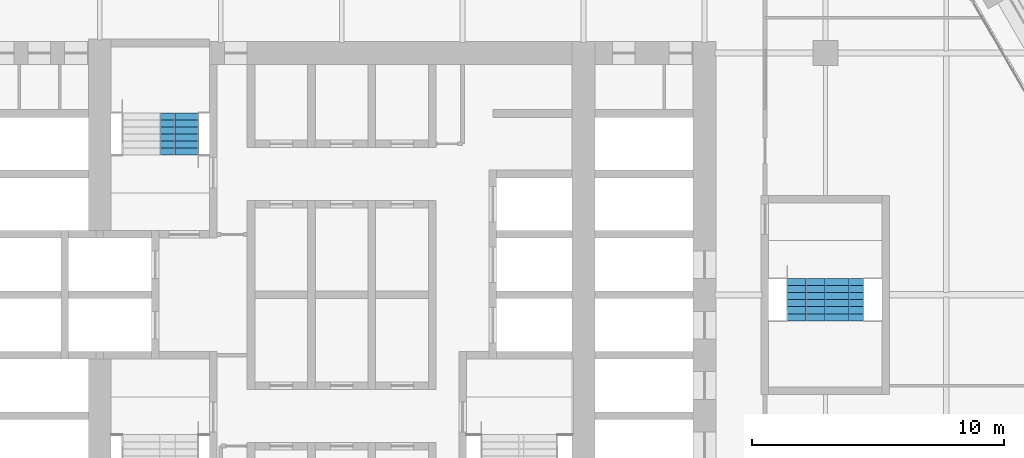
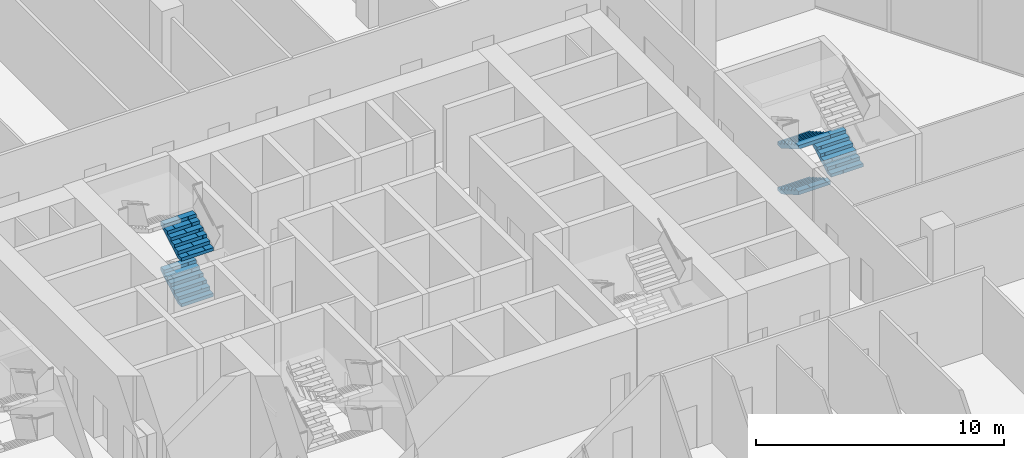
# One storey, part 23 of 27: 5 stair flights, 2 elements without a shape of their own.
"""IFC4 building model written with IfcOpenShell, lengths in metres."""

from ifc_helpers import new_model, si_unit, direction, frame, origin, place, context, subcontext, project, spatial, polyline, outline, extrude, material, type_object, element, aggregate, save


model = new_model("IFC4")

# Units and contexts
model_context = context("Model", 3, precision=1e-05, world=origin(), true_north=direction((0.0, 1.0)))
body_context = subcontext(model_context, "Body", "Model", "MODEL_VIEW")
ifc_project = project(units=[si_unit("LENGTHUNIT", "METRE"), si_unit("AREAUNIT", "SQUARE_METRE"), si_unit("VOLUMEUNIT", "CUBIC_METRE"), si_unit("PLANEANGLEUNIT", "RADIAN"), si_unit("MASSUNIT", "GRAM", prefix="KILO")], contexts=[model_context])

# Site, building, storey
site_placement = place(None, origin())
site = spatial("IfcSite", under=ifc_project, at=site_placement, CompositionType="ELEMENT")
building_placement = place(site_placement, origin())
building = spatial("IfcBuilding", under=site, at=building_placement, Name="Kolab Exchange Tower", CompositionType="ELEMENT")
storey_placement = place(building_placement, frame((0.0, 0.0, 122.89990234375)))
storey = spatial("IfcBuildingStorey", under=building, at=storey_placement, Name="L24", CompositionType="ELEMENT", Elevation=122.89990234375)

# Stair, stair flights
ifc_material = material(Name="Concrete C50/60", Category="concrete")
stair_type_1 = type_object("IfcStairType", Name="STAIR ST1 RISER 160.7", PredefinedType="DOUBLE_RETURN_STAIR", material=ifc_material)
stair_1_placement = place(storey_placement, origin())
stair_1 = element("IfcStair", 1, at=stair_1_placement, inside=storey, type_object=stair_type_1, Name="Stair 1", PredefinedType="DOUBLE_RETURN_STAIR")
stair_flight_type = type_object("IfcStairFlightType", Name="STAIR FLIGHT 1500 RISER 160.7", PredefinedType="STRAIGHT", material=ifc_material)
stair_flight_1_placement = place(storey_placement, frame((-6.43994140625, 5.550048828125, 0.0), z_axis=(0.0, 0.0, 1.0), x_axis=(0.0, 1.0, 0.0)))
stair_flight_1 = element("IfcStairFlight", 2, at=stair_flight_1_placement, type_object=stair_flight_type, Name="ST1 flight 1", NumberOfRisers=7, NumberOfTreads=6, PredefinedType="STRAIGHT", RiserHeight=0.160714286, TreadLength=0.28, context=body_context, shape_type="SweptSolid", body=[
    extrude(outline(polyline([(0.0, 0.0), (0.0, 0.16064453125), (0.280029296875, 0.16064453125), (0.280029296875, 0.321533203125), (0.56005859375, 0.321533203125), (0.56005859375, 0.482177734375), (0.840087890625, 0.482177734375), (0.840087890625, 0.642822265625), (1.1201171875, 0.642822265625), (1.1201171875, 0.803466796875), (1.39990234375, 0.803466796875), (1.39990234375, 0.96435546875), (1.679931640625, 0.96435546875), (1.679931640625, 1.125), (1.679931640625, 0.79150390625), (0.301025390625, 0.0), (0.0, 0.0)])), frame((0.0, 0.75, 0.0), z_axis=(0.0, -1.0, 0.0), x_axis=(1.0, 0.0, 0.0)), (0.0, 0.0, 1.0), 0.185791015625),
    extrude(outline(polyline([(0.0, 0.0), (0.0, 0.16064453125), (0.280029296875, 0.16064453125), (0.280029296875, 0.321533203125), (0.56005859375, 0.321533203125), (0.56005859375, 0.482177734375), (0.840087890625, 0.482177734375), (0.840087890625, 0.642822265625), (1.1201171875, 0.642822265625), (1.1201171875, 0.803466796875), (1.39990234375, 0.803466796875), (1.39990234375, 0.96435546875), (1.679931640625, 0.96435546875), (1.679931640625, 1.125), (1.679931640625, 0.79150390625), (0.301025390625, 0.0), (0.0, 0.0)])), frame((0.0, 0.562255859375, 0.0), z_axis=(0.0, -1.0, 0.0), x_axis=(1.0, 0.0, 0.0)), (0.0, 0.0, 1.0), 0.185791015625),
    extrude(outline(polyline([(0.0, 0.0), (0.0, 0.16064453125), (0.280029296875, 0.16064453125), (0.280029296875, 0.321533203125), (0.56005859375, 0.321533203125), (0.56005859375, 0.482177734375), (0.840087890625, 0.482177734375), (0.840087890625, 0.642822265625), (1.1201171875, 0.642822265625), (1.1201171875, 0.803466796875), (1.39990234375, 0.803466796875), (1.39990234375, 0.96435546875), (1.679931640625, 0.96435546875), (1.679931640625, 1.125), (1.679931640625, 0.79150390625), (0.301025390625, 0.0), (0.0, 0.0)])), frame((0.0, 0.37451171875, 0.0), z_axis=(0.0, -1.0, 0.0), x_axis=(1.0, 0.0, 0.0)), (0.0, 0.0, 1.0), 0.185791015625),
    extrude(outline(polyline([(0.0, 0.0), (0.0, 0.16064453125), (0.280029296875, 0.16064453125), (0.280029296875, 0.321533203125), (0.56005859375, 0.321533203125), (0.56005859375, 0.482177734375), (0.840087890625, 0.482177734375), (0.840087890625, 0.642822265625), (1.1201171875, 0.642822265625), (1.1201171875, 0.803466796875), (1.39990234375, 0.803466796875), (1.39990234375, 0.96435546875), (1.679931640625, 0.96435546875), (1.679931640625, 1.125), (1.679931640625, 0.79150390625), (0.301025390625, 0.0), (0.0, 0.0)])), frame((0.0, 0.186767578125, 0.0), z_axis=(0.0, -1.0, 0.0), x_axis=(1.0, 0.0, 0.0)), (0.0, 0.0, 1.0), 0.185791015625),
    extrude(outline(polyline([(0.0, 0.0), (0.0, 0.16064453125), (0.280029296875, 0.16064453125), (0.280029296875, 0.321533203125), (0.56005859375, 0.321533203125), (0.56005859375, 0.482177734375), (0.840087890625, 0.482177734375), (0.840087890625, 0.642822265625), (1.1201171875, 0.642822265625), (1.1201171875, 0.803466796875), (1.39990234375, 0.803466796875), (1.39990234375, 0.96435546875), (1.679931640625, 0.96435546875), (1.679931640625, 1.125), (1.679931640625, 0.79150390625), (0.301025390625, 0.0), (0.0, 0.0)])), frame((0.0, -0.0009765625, 0.0), z_axis=(0.0, -1.0, 0.0), x_axis=(1.0, 0.0, 0.0)), (0.0, 0.0, 1.0), 0.185791015625),
    extrude(outline(polyline([(0.0, 0.0), (0.0, 0.16064453125), (0.280029296875, 0.16064453125), (0.280029296875, 0.321533203125), (0.56005859375, 0.321533203125), (0.56005859375, 0.482177734375), (0.840087890625, 0.482177734375), (0.840087890625, 0.642822265625), (1.1201171875, 0.642822265625), (1.1201171875, 0.803466796875), (1.39990234375, 0.803466796875), (1.39990234375, 0.96435546875), (1.679931640625, 0.96435546875), (1.679931640625, 1.125), (1.679931640625, 0.79150390625), (0.301025390625, 0.0), (0.0, 0.0)])), frame((0.0, -0.188720703125, 0.0), z_axis=(0.0, -1.0, 0.0), x_axis=(1.0, 0.0, 0.0)), (0.0, 0.0, 1.0), 0.185791015625),
    extrude(outline(polyline([(0.0, 0.0), (0.0, 0.16064453125), (0.280029296875, 0.16064453125), (0.280029296875, 0.321533203125), (0.56005859375, 0.321533203125), (0.56005859375, 0.482177734375), (0.840087890625, 0.482177734375), (0.840087890625, 0.642822265625), (1.1201171875, 0.642822265625), (1.1201171875, 0.803466796875), (1.39990234375, 0.803466796875), (1.39990234375, 0.96435546875), (1.679931640625, 0.96435546875), (1.679931640625, 1.125), (1.679931640625, 0.79150390625), (0.301025390625, 0.0), (0.0, 0.0)])), frame((0.0, -0.37646484375, 0.0), z_axis=(0.0, -1.0, 0.0), x_axis=(1.0, 0.0, 0.0)), (0.0, 0.0, 1.0), 0.185791015625),
    extrude(outline(polyline([(0.0, 0.0), (0.0, 0.16064453125), (0.280029296875, 0.16064453125), (0.280029296875, 0.321533203125), (0.56005859375, 0.321533203125), (0.56005859375, 0.482177734375), (0.840087890625, 0.482177734375), (0.840087890625, 0.642822265625), (1.1201171875, 0.642822265625), (1.1201171875, 0.803466796875), (1.39990234375, 0.803466796875), (1.39990234375, 0.96435546875), (1.679931640625, 0.96435546875), (1.679931640625, 1.125), (1.679931640625, 0.79150390625), (0.301025390625, 0.0), (0.0, 0.0)])), frame((0.0, -0.564208984375, 0.0), z_axis=(0.0, -1.0, 0.0), x_axis=(1.0, 0.0, 0.0)), (0.0, 0.0, 1.0), 0.185791015625),
])
stair_flight_2_placement = place(storey_placement, frame((-6.43994140625, 5.550048828125, 2.25), z_axis=(0.0, 0.0, 1.0), x_axis=(0.0, 1.0, 0.0)))
stair_flight_2 = element("IfcStairFlight", 3, at=stair_flight_2_placement, type_object=stair_flight_type, Name="ST1 flight 3", NumberOfRisers=7, NumberOfTreads=6, PredefinedType="STRAIGHT", RiserHeight=0.160714286, TreadLength=0.28, context=body_context, shape_type="SweptSolid", body=[
    extrude(outline(polyline([(0.0, 0.0), (0.0, 0.16064453125), (0.280029296875, 0.16064453125), (0.280029296875, 0.321533203125), (0.56005859375, 0.321533203125), (0.56005859375, 0.482177734375), (0.840087890625, 0.482177734375), (0.840087890625, 0.642822265625), (1.1201171875, 0.642822265625), (1.1201171875, 0.803466796875), (1.39990234375, 0.803466796875), (1.39990234375, 0.96435546875), (1.679931640625, 0.96435546875), (1.679931640625, 1.125), (1.679931640625, 0.79150390625), (0.301025390625, 0.0), (0.0, 0.0)])), frame((0.0, 0.75, 0.0), z_axis=(0.0, -1.0, 0.0), x_axis=(1.0, 0.0, 0.0)), (0.0, 0.0, 1.0), 0.185791015625),
    extrude(outline(polyline([(0.0, 0.0), (0.0, 0.16064453125), (0.280029296875, 0.16064453125), (0.280029296875, 0.321533203125), (0.56005859375, 0.321533203125), (0.56005859375, 0.482177734375), (0.840087890625, 0.482177734375), (0.840087890625, 0.642822265625), (1.1201171875, 0.642822265625), (1.1201171875, 0.803466796875), (1.39990234375, 0.803466796875), (1.39990234375, 0.96435546875), (1.679931640625, 0.96435546875), (1.679931640625, 1.125), (1.679931640625, 0.79150390625), (0.301025390625, 0.0), (0.0, 0.0)])), frame((0.0, 0.562255859375, 0.0), z_axis=(0.0, -1.0, 0.0), x_axis=(1.0, 0.0, 0.0)), (0.0, 0.0, 1.0), 0.185791015625),
    extrude(outline(polyline([(0.0, 0.0), (0.0, 0.16064453125), (0.280029296875, 0.16064453125), (0.280029296875, 0.321533203125), (0.56005859375, 0.321533203125), (0.56005859375, 0.482177734375), (0.840087890625, 0.482177734375), (0.840087890625, 0.642822265625), (1.1201171875, 0.642822265625), (1.1201171875, 0.803466796875), (1.39990234375, 0.803466796875), (1.39990234375, 0.96435546875), (1.679931640625, 0.96435546875), (1.679931640625, 1.125), (1.679931640625, 0.79150390625), (0.301025390625, 0.0), (0.0, 0.0)])), frame((0.0, 0.37451171875, 0.0), z_axis=(0.0, -1.0, 0.0), x_axis=(1.0, 0.0, 0.0)), (0.0, 0.0, 1.0), 0.185791015625),
    extrude(outline(polyline([(0.0, 0.0), (0.0, 0.16064453125), (0.280029296875, 0.16064453125), (0.280029296875, 0.321533203125), (0.56005859375, 0.321533203125), (0.56005859375, 0.482177734375), (0.840087890625, 0.482177734375), (0.840087890625, 0.642822265625), (1.1201171875, 0.642822265625), (1.1201171875, 0.803466796875), (1.39990234375, 0.803466796875), (1.39990234375, 0.96435546875), (1.679931640625, 0.96435546875), (1.679931640625, 1.125), (1.679931640625, 0.79150390625), (0.301025390625, 0.0), (0.0, 0.0)])), frame((0.0, 0.186767578125, 0.0), z_axis=(0.0, -1.0, 0.0), x_axis=(1.0, 0.0, 0.0)), (0.0, 0.0, 1.0), 0.185791015625),
    extrude(outline(polyline([(0.0, 0.0), (0.0, 0.16064453125), (0.280029296875, 0.16064453125), (0.280029296875, 0.321533203125), (0.56005859375, 0.321533203125), (0.56005859375, 0.482177734375), (0.840087890625, 0.482177734375), (0.840087890625, 0.642822265625), (1.1201171875, 0.642822265625), (1.1201171875, 0.803466796875), (1.39990234375, 0.803466796875), (1.39990234375, 0.96435546875), (1.679931640625, 0.96435546875), (1.679931640625, 1.125), (1.679931640625, 0.79150390625), (0.301025390625, 0.0), (0.0, 0.0)])), frame((0.0, -0.0009765625, 0.0), z_axis=(0.0, -1.0, 0.0), x_axis=(1.0, 0.0, 0.0)), (0.0, 0.0, 1.0), 0.185791015625),
    extrude(outline(polyline([(0.0, 0.0), (0.0, 0.16064453125), (0.280029296875, 0.16064453125), (0.280029296875, 0.321533203125), (0.56005859375, 0.321533203125), (0.56005859375, 0.482177734375), (0.840087890625, 0.482177734375), (0.840087890625, 0.642822265625), (1.1201171875, 0.642822265625), (1.1201171875, 0.803466796875), (1.39990234375, 0.803466796875), (1.39990234375, 0.96435546875), (1.679931640625, 0.96435546875), (1.679931640625, 1.125), (1.679931640625, 0.79150390625), (0.301025390625, 0.0), (0.0, 0.0)])), frame((0.0, -0.188720703125, 0.0), z_axis=(0.0, -1.0, 0.0), x_axis=(1.0, 0.0, 0.0)), (0.0, 0.0, 1.0), 0.185791015625),
    extrude(outline(polyline([(0.0, 0.0), (0.0, 0.16064453125), (0.280029296875, 0.16064453125), (0.280029296875, 0.321533203125), (0.56005859375, 0.321533203125), (0.56005859375, 0.482177734375), (0.840087890625, 0.482177734375), (0.840087890625, 0.642822265625), (1.1201171875, 0.642822265625), (1.1201171875, 0.803466796875), (1.39990234375, 0.803466796875), (1.39990234375, 0.96435546875), (1.679931640625, 0.96435546875), (1.679931640625, 1.125), (1.679931640625, 0.79150390625), (0.301025390625, 0.0), (0.0, 0.0)])), frame((0.0, -0.37646484375, 0.0), z_axis=(0.0, -1.0, 0.0), x_axis=(1.0, 0.0, 0.0)), (0.0, 0.0, 1.0), 0.185791015625),
    extrude(outline(polyline([(0.0, 0.0), (0.0, 0.16064453125), (0.280029296875, 0.16064453125), (0.280029296875, 0.321533203125), (0.56005859375, 0.321533203125), (0.56005859375, 0.482177734375), (0.840087890625, 0.482177734375), (0.840087890625, 0.642822265625), (1.1201171875, 0.642822265625), (1.1201171875, 0.803466796875), (1.39990234375, 0.803466796875), (1.39990234375, 0.96435546875), (1.679931640625, 0.96435546875), (1.679931640625, 1.125), (1.679931640625, 0.79150390625), (0.301025390625, 0.0), (0.0, 0.0)])), frame((0.0, -0.564208984375, 0.0), z_axis=(0.0, -1.0, 0.0), x_axis=(1.0, 0.0, 0.0)), (0.0, 0.0, 1.0), 0.185791015625),
])
aggregate(stair_1, [stair_flight_1, stair_flight_2])

stair_type_2 = type_object("IfcStairType", Name="STAIR ST4 RISER 160.7", PredefinedType="DOUBLE_RETURN_STAIR", material=ifc_material)
stair_2_placement = place(storey_placement, origin())
stair_2 = element("IfcStair", 4, at=stair_2_placement, inside=storey, type_object=stair_type_2, Name="Stair 4", PredefinedType="DOUBLE_RETURN_STAIR")
stair_flight_3_placement = place(storey_placement, frame((18.43994140625, 0.64990234375, 0.0), z_axis=(0.0, 0.0, 1.0), x_axis=(0.0, -1.0, 0.0)))
stair_flight_3 = element("IfcStairFlight", 5, at=stair_flight_3_placement, type_object=stair_flight_type, Name="ST4 flight 1", NumberOfRisers=7, NumberOfTreads=6, PredefinedType="STRAIGHT", RiserHeight=0.160714286, TreadLength=0.28, context=body_context, shape_type="SweptSolid", body=[
    extrude(outline(polyline([(0.0, 0.0), (0.0, 0.16064453125), (0.280029296875, 0.16064453125), (0.280029296875, 0.321533203125), (0.56005859375, 0.321533203125), (0.56005859375, 0.482177734375), (0.840087890625, 0.482177734375), (0.840087890625, 0.642822265625), (1.1201171875, 0.642822265625), (1.1201171875, 0.803466796875), (1.39990234375, 0.803466796875), (1.39990234375, 0.96435546875), (1.679931640625, 0.96435546875), (1.679931640625, 1.125), (1.679931640625, 0.79150390625), (0.301025390625, 0.0), (0.0, 0.0)])), frame((0.0, 0.75, 0.0), z_axis=(0.0, -1.0, 0.0), x_axis=(1.0, 0.0, 0.0)), (0.0, 0.0, 1.0), 0.185791015625),
    extrude(outline(polyline([(0.0, 0.0), (0.0, 0.16064453125), (0.280029296875, 0.16064453125), (0.280029296875, 0.321533203125), (0.56005859375, 0.321533203125), (0.56005859375, 0.482177734375), (0.840087890625, 0.482177734375), (0.840087890625, 0.642822265625), (1.1201171875, 0.642822265625), (1.1201171875, 0.803466796875), (1.39990234375, 0.803466796875), (1.39990234375, 0.96435546875), (1.679931640625, 0.96435546875), (1.679931640625, 1.125), (1.679931640625, 0.79150390625), (0.301025390625, 0.0), (0.0, 0.0)])), frame((0.0, 0.562255859375, 0.0), z_axis=(0.0, -1.0, 0.0), x_axis=(1.0, 0.0, 0.0)), (0.0, 0.0, 1.0), 0.185791015625),
    extrude(outline(polyline([(0.0, 0.0), (0.0, 0.16064453125), (0.280029296875, 0.16064453125), (0.280029296875, 0.321533203125), (0.56005859375, 0.321533203125), (0.56005859375, 0.482177734375), (0.840087890625, 0.482177734375), (0.840087890625, 0.642822265625), (1.1201171875, 0.642822265625), (1.1201171875, 0.803466796875), (1.39990234375, 0.803466796875), (1.39990234375, 0.96435546875), (1.679931640625, 0.96435546875), (1.679931640625, 1.125), (1.679931640625, 0.79150390625), (0.301025390625, 0.0), (0.0, 0.0)])), frame((0.0, 0.37451171875, 0.0), z_axis=(0.0, -1.0, 0.0), x_axis=(1.0, 0.0, 0.0)), (0.0, 0.0, 1.0), 0.185791015625),
    extrude(outline(polyline([(0.0, 0.0), (0.0, 0.16064453125), (0.280029296875, 0.16064453125), (0.280029296875, 0.321533203125), (0.56005859375, 0.321533203125), (0.56005859375, 0.482177734375), (0.840087890625, 0.482177734375), (0.840087890625, 0.642822265625), (1.1201171875, 0.642822265625), (1.1201171875, 0.803466796875), (1.39990234375, 0.803466796875), (1.39990234375, 0.96435546875), (1.679931640625, 0.96435546875), (1.679931640625, 1.125), (1.679931640625, 0.79150390625), (0.301025390625, 0.0), (0.0, 0.0)])), frame((0.0, 0.186767578125, 0.0), z_axis=(0.0, -1.0, 0.0), x_axis=(1.0, 0.0, 0.0)), (0.0, 0.0, 1.0), 0.185791015625),
    extrude(outline(polyline([(0.0, 0.0), (0.0, 0.16064453125), (0.280029296875, 0.16064453125), (0.280029296875, 0.321533203125), (0.56005859375, 0.321533203125), (0.56005859375, 0.482177734375), (0.840087890625, 0.482177734375), (0.840087890625, 0.642822265625), (1.1201171875, 0.642822265625), (1.1201171875, 0.803466796875), (1.39990234375, 0.803466796875), (1.39990234375, 0.96435546875), (1.679931640625, 0.96435546875), (1.679931640625, 1.125), (1.679931640625, 0.79150390625), (0.301025390625, 0.0), (0.0, 0.0)])), frame((0.0, -0.0009765625, 0.0), z_axis=(0.0, -1.0, 0.0), x_axis=(1.0, 0.0, 0.0)), (0.0, 0.0, 1.0), 0.185791015625),
    extrude(outline(polyline([(0.0, 0.0), (0.0, 0.16064453125), (0.280029296875, 0.16064453125), (0.280029296875, 0.321533203125), (0.56005859375, 0.321533203125), (0.56005859375, 0.482177734375), (0.840087890625, 0.482177734375), (0.840087890625, 0.642822265625), (1.1201171875, 0.642822265625), (1.1201171875, 0.803466796875), (1.39990234375, 0.803466796875), (1.39990234375, 0.96435546875), (1.679931640625, 0.96435546875), (1.679931640625, 1.125), (1.679931640625, 0.79150390625), (0.301025390625, 0.0), (0.0, 0.0)])), frame((0.0, -0.188720703125, 0.0), z_axis=(0.0, -1.0, 0.0), x_axis=(1.0, 0.0, 0.0)), (0.0, 0.0, 1.0), 0.185791015625),
    extrude(outline(polyline([(0.0, 0.0), (0.0, 0.16064453125), (0.280029296875, 0.16064453125), (0.280029296875, 0.321533203125), (0.56005859375, 0.321533203125), (0.56005859375, 0.482177734375), (0.840087890625, 0.482177734375), (0.840087890625, 0.642822265625), (1.1201171875, 0.642822265625), (1.1201171875, 0.803466796875), (1.39990234375, 0.803466796875), (1.39990234375, 0.96435546875), (1.679931640625, 0.96435546875), (1.679931640625, 1.125), (1.679931640625, 0.79150390625), (0.301025390625, 0.0), (0.0, 0.0)])), frame((0.0, -0.37646484375, 0.0), z_axis=(0.0, -1.0, 0.0), x_axis=(1.0, 0.0, 0.0)), (0.0, 0.0, 1.0), 0.185791015625),
    extrude(outline(polyline([(0.0, 0.0), (0.0, 0.16064453125), (0.280029296875, 0.16064453125), (0.280029296875, 0.321533203125), (0.56005859375, 0.321533203125), (0.56005859375, 0.482177734375), (0.840087890625, 0.482177734375), (0.840087890625, 0.642822265625), (1.1201171875, 0.642822265625), (1.1201171875, 0.803466796875), (1.39990234375, 0.803466796875), (1.39990234375, 0.96435546875), (1.679931640625, 0.96435546875), (1.679931640625, 1.125), (1.679931640625, 0.79150390625), (0.301025390625, 0.0), (0.0, 0.0)])), frame((0.0, -0.564208984375, 0.0), z_axis=(0.0, -1.0, 0.0), x_axis=(1.0, 0.0, 0.0)), (0.0, 0.0, 1.0), 0.185791015625),
])
stair_flight_4_placement = place(storey_placement, frame((19.9599609375, -1.030029296875, 1.125), z_axis=(0.0, 0.0, 1.0), x_axis=(0.0, 1.0, 0.0)))
stair_flight_4 = element("IfcStairFlight", 6, at=stair_flight_4_placement, type_object=stair_flight_type, Name="ST4 flight 2", NumberOfRisers=7, NumberOfTreads=6, PredefinedType="STRAIGHT", RiserHeight=0.160714286, TreadLength=0.28, context=body_context, shape_type="SweptSolid", body=[
    extrude(outline(polyline([(0.0, 0.0), (0.0, 0.16064453125), (0.280029296875, 0.16064453125), (0.280029296875, 0.321533203125), (0.56005859375, 0.321533203125), (0.56005859375, 0.482177734375), (0.840087890625, 0.482177734375), (0.840087890625, 0.642822265625), (1.1201171875, 0.642822265625), (1.1201171875, 0.803466796875), (1.39990234375, 0.803466796875), (1.39990234375, 0.96435546875), (1.679931640625, 0.96435546875), (1.679931640625, 1.125), (1.679931640625, 0.79150390625), (0.301025390625, 0.0), (0.0, 0.0)])), frame((0.0, 0.75, 0.0), z_axis=(0.0, -1.0, 0.0), x_axis=(1.0, 0.0, 0.0)), (0.0, 0.0, 1.0), 0.185791015625),
    extrude(outline(polyline([(0.0, 0.0), (0.0, 0.16064453125), (0.280029296875, 0.16064453125), (0.280029296875, 0.321533203125), (0.56005859375, 0.321533203125), (0.56005859375, 0.482177734375), (0.840087890625, 0.482177734375), (0.840087890625, 0.642822265625), (1.1201171875, 0.642822265625), (1.1201171875, 0.803466796875), (1.39990234375, 0.803466796875), (1.39990234375, 0.96435546875), (1.679931640625, 0.96435546875), (1.679931640625, 1.125), (1.679931640625, 0.79150390625), (0.301025390625, 0.0), (0.0, 0.0)])), frame((0.0, 0.562255859375, 0.0), z_axis=(0.0, -1.0, 0.0), x_axis=(1.0, 0.0, 0.0)), (0.0, 0.0, 1.0), 0.185791015625),
    extrude(outline(polyline([(0.0, 0.0), (0.0, 0.16064453125), (0.280029296875, 0.16064453125), (0.280029296875, 0.321533203125), (0.56005859375, 0.321533203125), (0.56005859375, 0.482177734375), (0.840087890625, 0.482177734375), (0.840087890625, 0.642822265625), (1.1201171875, 0.642822265625), (1.1201171875, 0.803466796875), (1.39990234375, 0.803466796875), (1.39990234375, 0.96435546875), (1.679931640625, 0.96435546875), (1.679931640625, 1.125), (1.679931640625, 0.79150390625), (0.301025390625, 0.0), (0.0, 0.0)])), frame((0.0, 0.37451171875, 0.0), z_axis=(0.0, -1.0, 0.0), x_axis=(1.0, 0.0, 0.0)), (0.0, 0.0, 1.0), 0.185791015625),
    extrude(outline(polyline([(0.0, 0.0), (0.0, 0.16064453125), (0.280029296875, 0.16064453125), (0.280029296875, 0.321533203125), (0.56005859375, 0.321533203125), (0.56005859375, 0.482177734375), (0.840087890625, 0.482177734375), (0.840087890625, 0.642822265625), (1.1201171875, 0.642822265625), (1.1201171875, 0.803466796875), (1.39990234375, 0.803466796875), (1.39990234375, 0.96435546875), (1.679931640625, 0.96435546875), (1.679931640625, 1.125), (1.679931640625, 0.79150390625), (0.301025390625, 0.0), (0.0, 0.0)])), frame((0.0, 0.186767578125, 0.0), z_axis=(0.0, -1.0, 0.0), x_axis=(1.0, 0.0, 0.0)), (0.0, 0.0, 1.0), 0.185791015625),
    extrude(outline(polyline([(0.0, 0.0), (0.0, 0.16064453125), (0.280029296875, 0.16064453125), (0.280029296875, 0.321533203125), (0.56005859375, 0.321533203125), (0.56005859375, 0.482177734375), (0.840087890625, 0.482177734375), (0.840087890625, 0.642822265625), (1.1201171875, 0.642822265625), (1.1201171875, 0.803466796875), (1.39990234375, 0.803466796875), (1.39990234375, 0.96435546875), (1.679931640625, 0.96435546875), (1.679931640625, 1.125), (1.679931640625, 0.79150390625), (0.301025390625, 0.0), (0.0, 0.0)])), frame((0.0, -0.0009765625, 0.0), z_axis=(0.0, -1.0, 0.0), x_axis=(1.0, 0.0, 0.0)), (0.0, 0.0, 1.0), 0.185791015625),
    extrude(outline(polyline([(0.0, 0.0), (0.0, 0.16064453125), (0.280029296875, 0.16064453125), (0.280029296875, 0.321533203125), (0.56005859375, 0.321533203125), (0.56005859375, 0.482177734375), (0.840087890625, 0.482177734375), (0.840087890625, 0.642822265625), (1.1201171875, 0.642822265625), (1.1201171875, 0.803466796875), (1.39990234375, 0.803466796875), (1.39990234375, 0.96435546875), (1.679931640625, 0.96435546875), (1.679931640625, 1.125), (1.679931640625, 0.79150390625), (0.301025390625, 0.0), (0.0, 0.0)])), frame((0.0, -0.188720703125, 0.0), z_axis=(0.0, -1.0, 0.0), x_axis=(1.0, 0.0, 0.0)), (0.0, 0.0, 1.0), 0.185791015625),
    extrude(outline(polyline([(0.0, 0.0), (0.0, 0.16064453125), (0.280029296875, 0.16064453125), (0.280029296875, 0.321533203125), (0.56005859375, 0.321533203125), (0.56005859375, 0.482177734375), (0.840087890625, 0.482177734375), (0.840087890625, 0.642822265625), (1.1201171875, 0.642822265625), (1.1201171875, 0.803466796875), (1.39990234375, 0.803466796875), (1.39990234375, 0.96435546875), (1.679931640625, 0.96435546875), (1.679931640625, 1.125), (1.679931640625, 0.79150390625), (0.301025390625, 0.0), (0.0, 0.0)])), frame((0.0, -0.37646484375, 0.0), z_axis=(0.0, -1.0, 0.0), x_axis=(1.0, 0.0, 0.0)), (0.0, 0.0, 1.0), 0.185791015625),
    extrude(outline(polyline([(0.0, 0.0), (0.0, 0.16064453125), (0.280029296875, 0.16064453125), (0.280029296875, 0.321533203125), (0.56005859375, 0.321533203125), (0.56005859375, 0.482177734375), (0.840087890625, 0.482177734375), (0.840087890625, 0.642822265625), (1.1201171875, 0.642822265625), (1.1201171875, 0.803466796875), (1.39990234375, 0.803466796875), (1.39990234375, 0.96435546875), (1.679931640625, 0.96435546875), (1.679931640625, 1.125), (1.679931640625, 0.79150390625), (0.301025390625, 0.0), (0.0, 0.0)])), frame((0.0, -0.564208984375, 0.0), z_axis=(0.0, -1.0, 0.0), x_axis=(1.0, 0.0, 0.0)), (0.0, 0.0, 1.0), 0.185791015625),
])
stair_flight_5_placement = place(storey_placement, frame((18.43994140625, 0.64990234375, 2.25), z_axis=(0.0, 0.0, 1.0), x_axis=(0.0, -1.0, 0.0)))
stair_flight_5 = element("IfcStairFlight", 7, at=stair_flight_5_placement, type_object=stair_flight_type, Name="ST4 flight 3", NumberOfRisers=7, NumberOfTreads=6, PredefinedType="STRAIGHT", RiserHeight=0.160714286, TreadLength=0.28, context=body_context, shape_type="SweptSolid", body=[
    extrude(outline(polyline([(0.0, 0.0), (0.0, 0.16064453125), (0.280029296875, 0.16064453125), (0.280029296875, 0.321533203125), (0.56005859375, 0.321533203125), (0.56005859375, 0.482177734375), (0.840087890625, 0.482177734375), (0.840087890625, 0.642822265625), (1.1201171875, 0.642822265625), (1.1201171875, 0.803466796875), (1.39990234375, 0.803466796875), (1.39990234375, 0.96435546875), (1.679931640625, 0.96435546875), (1.679931640625, 1.125), (1.679931640625, 0.79150390625), (0.301025390625, 0.0), (0.0, 0.0)])), frame((0.0, 0.75, 0.0), z_axis=(0.0, -1.0, 0.0), x_axis=(1.0, 0.0, 0.0)), (0.0, 0.0, 1.0), 0.185791015625),
    extrude(outline(polyline([(0.0, 0.0), (0.0, 0.16064453125), (0.280029296875, 0.16064453125), (0.280029296875, 0.321533203125), (0.56005859375, 0.321533203125), (0.56005859375, 0.482177734375), (0.840087890625, 0.482177734375), (0.840087890625, 0.642822265625), (1.1201171875, 0.642822265625), (1.1201171875, 0.803466796875), (1.39990234375, 0.803466796875), (1.39990234375, 0.96435546875), (1.679931640625, 0.96435546875), (1.679931640625, 1.125), (1.679931640625, 0.79150390625), (0.301025390625, 0.0), (0.0, 0.0)])), frame((0.0, 0.562255859375, 0.0), z_axis=(0.0, -1.0, 0.0), x_axis=(1.0, 0.0, 0.0)), (0.0, 0.0, 1.0), 0.185791015625),
    extrude(outline(polyline([(0.0, 0.0), (0.0, 0.16064453125), (0.280029296875, 0.16064453125), (0.280029296875, 0.321533203125), (0.56005859375, 0.321533203125), (0.56005859375, 0.482177734375), (0.840087890625, 0.482177734375), (0.840087890625, 0.642822265625), (1.1201171875, 0.642822265625), (1.1201171875, 0.803466796875), (1.39990234375, 0.803466796875), (1.39990234375, 0.96435546875), (1.679931640625, 0.96435546875), (1.679931640625, 1.125), (1.679931640625, 0.79150390625), (0.301025390625, 0.0), (0.0, 0.0)])), frame((0.0, 0.37451171875, 0.0), z_axis=(0.0, -1.0, 0.0), x_axis=(1.0, 0.0, 0.0)), (0.0, 0.0, 1.0), 0.185791015625),
    extrude(outline(polyline([(0.0, 0.0), (0.0, 0.16064453125), (0.280029296875, 0.16064453125), (0.280029296875, 0.321533203125), (0.56005859375, 0.321533203125), (0.56005859375, 0.482177734375), (0.840087890625, 0.482177734375), (0.840087890625, 0.642822265625), (1.1201171875, 0.642822265625), (1.1201171875, 0.803466796875), (1.39990234375, 0.803466796875), (1.39990234375, 0.96435546875), (1.679931640625, 0.96435546875), (1.679931640625, 1.125), (1.679931640625, 0.79150390625), (0.301025390625, 0.0), (0.0, 0.0)])), frame((0.0, 0.186767578125, 0.0), z_axis=(0.0, -1.0, 0.0), x_axis=(1.0, 0.0, 0.0)), (0.0, 0.0, 1.0), 0.185791015625),
    extrude(outline(polyline([(0.0, 0.0), (0.0, 0.16064453125), (0.280029296875, 0.16064453125), (0.280029296875, 0.321533203125), (0.56005859375, 0.321533203125), (0.56005859375, 0.482177734375), (0.840087890625, 0.482177734375), (0.840087890625, 0.642822265625), (1.1201171875, 0.642822265625), (1.1201171875, 0.803466796875), (1.39990234375, 0.803466796875), (1.39990234375, 0.96435546875), (1.679931640625, 0.96435546875), (1.679931640625, 1.125), (1.679931640625, 0.79150390625), (0.301025390625, 0.0), (0.0, 0.0)])), frame((0.0, -0.0009765625, 0.0), z_axis=(0.0, -1.0, 0.0), x_axis=(1.0, 0.0, 0.0)), (0.0, 0.0, 1.0), 0.185791015625),
    extrude(outline(polyline([(0.0, 0.0), (0.0, 0.16064453125), (0.280029296875, 0.16064453125), (0.280029296875, 0.321533203125), (0.56005859375, 0.321533203125), (0.56005859375, 0.482177734375), (0.840087890625, 0.482177734375), (0.840087890625, 0.642822265625), (1.1201171875, 0.642822265625), (1.1201171875, 0.803466796875), (1.39990234375, 0.803466796875), (1.39990234375, 0.96435546875), (1.679931640625, 0.96435546875), (1.679931640625, 1.125), (1.679931640625, 0.79150390625), (0.301025390625, 0.0), (0.0, 0.0)])), frame((0.0, -0.188720703125, 0.0), z_axis=(0.0, -1.0, 0.0), x_axis=(1.0, 0.0, 0.0)), (0.0, 0.0, 1.0), 0.185791015625),
    extrude(outline(polyline([(0.0, 0.0), (0.0, 0.16064453125), (0.280029296875, 0.16064453125), (0.280029296875, 0.321533203125), (0.56005859375, 0.321533203125), (0.56005859375, 0.482177734375), (0.840087890625, 0.482177734375), (0.840087890625, 0.642822265625), (1.1201171875, 0.642822265625), (1.1201171875, 0.803466796875), (1.39990234375, 0.803466796875), (1.39990234375, 0.96435546875), (1.679931640625, 0.96435546875), (1.679931640625, 1.125), (1.679931640625, 0.79150390625), (0.301025390625, 0.0), (0.0, 0.0)])), frame((0.0, -0.37646484375, 0.0), z_axis=(0.0, -1.0, 0.0), x_axis=(1.0, 0.0, 0.0)), (0.0, 0.0, 1.0), 0.185791015625),
    extrude(outline(polyline([(0.0, 0.0), (0.0, 0.16064453125), (0.280029296875, 0.16064453125), (0.280029296875, 0.321533203125), (0.56005859375, 0.321533203125), (0.56005859375, 0.482177734375), (0.840087890625, 0.482177734375), (0.840087890625, 0.642822265625), (1.1201171875, 0.642822265625), (1.1201171875, 0.803466796875), (1.39990234375, 0.803466796875), (1.39990234375, 0.96435546875), (1.679931640625, 0.96435546875), (1.679931640625, 1.125), (1.679931640625, 0.79150390625), (0.301025390625, 0.0), (0.0, 0.0)])), frame((0.0, -0.564208984375, 0.0), z_axis=(0.0, -1.0, 0.0), x_axis=(1.0, 0.0, 0.0)), (0.0, 0.0, 1.0), 0.185791015625),
])
aggregate(stair_2, [stair_flight_3, stair_flight_4, stair_flight_5])

save(model, "model.ifc")
